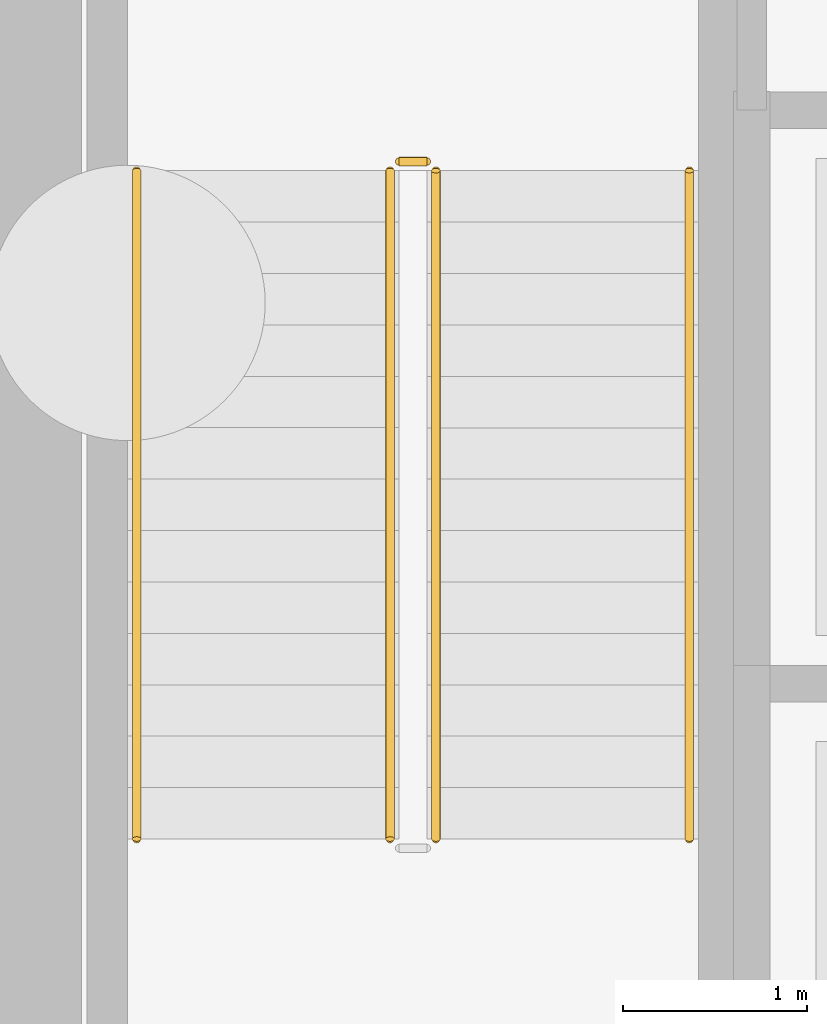
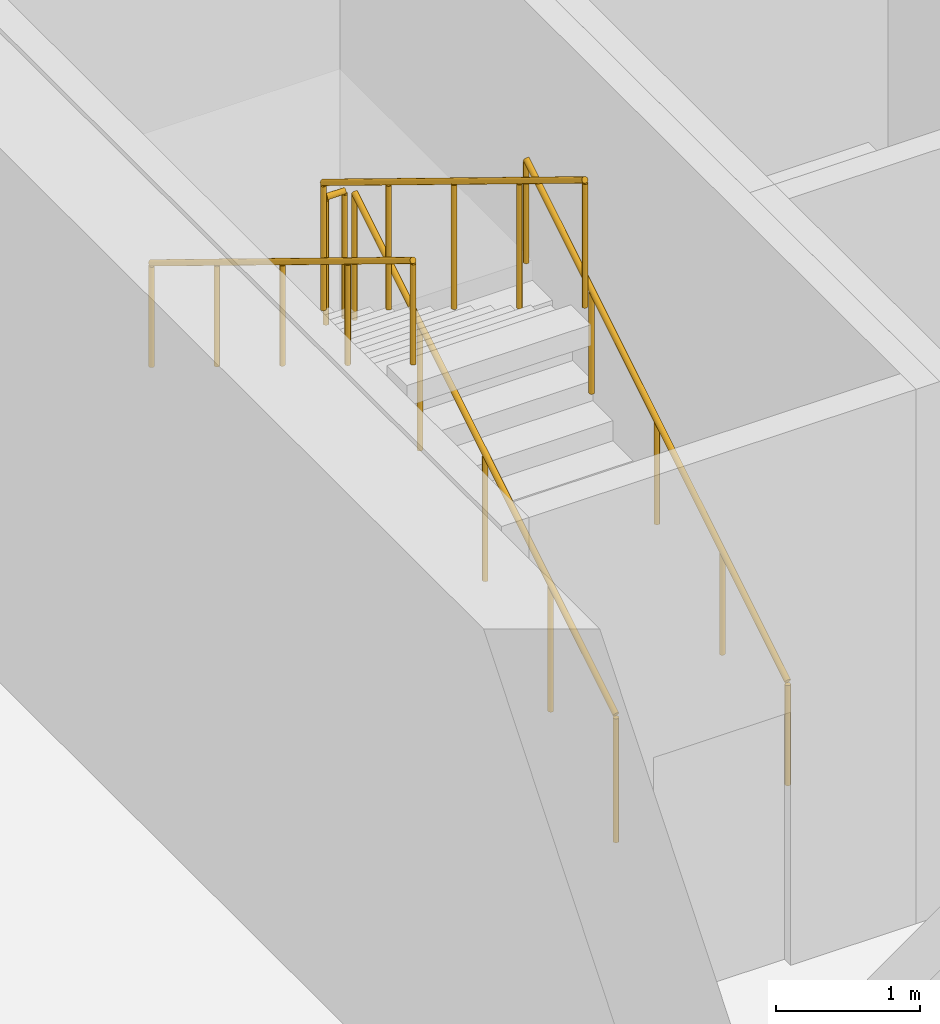
# One storey, part 8 of 10: 5 railings.
"""IFC4 building model written with IfcOpenShell, lengths in metres."""

from ifc_helpers import new_model, si_unit, direction, frame, origin, origin_2d, place, context, subcontext, project, spatial, circle, extrude, material, type_object, element, save


model = new_model("IFC4")

# Units and contexts
model_context = context("Model", 3, precision=1e-05, world=origin(), true_north=direction((0.0, 1.0)))
body_context = subcontext(model_context, "Body", "Model", "MODEL_VIEW")
ifc_project = project(units=[si_unit("LENGTHUNIT", "METRE"), si_unit("AREAUNIT", "SQUARE_METRE"), si_unit("VOLUMEUNIT", "CUBIC_METRE"), si_unit("PLANEANGLEUNIT", "RADIAN"), si_unit("MASSUNIT", "GRAM", prefix="KILO")], contexts=[model_context])

# Site, building, storey
site_placement = place(None, origin())
site = spatial("IfcSite", under=ifc_project, at=site_placement, CompositionType="ELEMENT")
building_placement = place(site_placement, origin())
building = spatial("IfcBuilding", under=site, at=building_placement, Name="Valdorenza Pilgrim Sanctuary Tower", CompositionType="ELEMENT")
storey_placement = place(building_placement, frame((0.0, 0.0, -9.60009765625)))
storey = spatial("IfcBuildingStorey", under=building, at=storey_placement, Name="B02", CompositionType="ELEMENT", Elevation=-9.60009765625)

# Railings
ifc_material_1 = material(Name="Stainless steel Grade 316", Category="steel")
railing_type_1 = type_object("IfcRailingType", Name="RLG-GRD-1120", PredefinedType="GUARDRAIL", material=ifc_material_1)
railing_1_placement = place(storey_placement, frame((-20.3701171875, 3.47998046875, 0.171630859375)))
element("IfcRailing", 1, at=railing_1_placement, inside=storey, type_object=railing_type_1, Name="B02 ST-A1 stair guard 1", PredefinedType="GUARDRAIL", context=body_context, shape_type="SweptSolid", body=[
    extrude(circle(Radius=0.02392578125, at=origin_2d()), frame((0.0, 0.0, 1.076171875), z_axis=(0.0, 0.852865859571, 0.52213008492), x_axis=(-1.0, 0.0, 0.0)), (0.0, 0.0, 1.0), 4.26806640625),
    extrude(circle(Radius=0.02099609375, at=origin_2d()), origin(), (0.0, 0.0, 1.0), 1.052001953125),
    extrude(circle(Radius=0.02099609375, at=origin_2d()), frame((0.0, 0.91015625, 0.55712890625)), (0.0, 0.0, 1.0), 1.052001953125),
    extrude(circle(Radius=0.02099609375, at=origin_2d()), frame((0.0, 1.820068359375, 1.1142578125)), (0.0, 0.0, 1.0), 1.052001953125),
    extrude(circle(Radius=0.02099609375, at=origin_2d()), frame((0.0, 2.72998046875, 1.67138671875)), (0.0, 0.0, 1.0), 1.052001953125),
    extrude(circle(Radius=0.02099609375, at=origin_2d()), frame((0.0, 3.64013671875, 2.228515625)), (0.0, 0.0, 1.0), 1.052001953125),
])
railing_2_placement = place(storey_placement, frame((-20.419921875, 7.169921875, 2.400146484375)))
element("IfcRailing", 2, at=railing_2_placement, inside=storey, type_object=railing_type_1, Name="B02 ST-A1 stair guard 2", PredefinedType="GUARDRAIL", context=body_context, shape_type="SweptSolid", body=[
    extrude(circle(Radius=0.02392578125, at=origin_2d()), frame((0.0, 0.0, 1.076171875), z_axis=(-1.0, 0.0, 0.0), x_axis=(0.0, -1.0, 0.0)), (0.0, 0.0, 1.0), 0.150146484375),
    extrude(circle(Radius=0.02099609375, at=origin_2d()), origin(), (0.0, 0.0, 1.0), 1.052001953125),
    extrude(circle(Radius=0.02099609375, at=origin_2d()), frame((-0.150146484375, 0.0, 0.0)), (0.0, 0.0, 1.0), 1.052001953125),
])
railing_3_placement = place(storey_placement, frame((-20.6201171875, 7.1201171875, 2.571533203125)))
element("IfcRailing", 3, at=railing_3_placement, inside=storey, type_object=railing_type_1, Name="B02 ST-A1 stair guard 3", PredefinedType="GUARDRAIL", context=body_context, shape_type="SweptSolid", body=[
    extrude(circle(Radius=0.02392578125, at=origin_2d()), frame((0.0, 0.0, 1.076171875), z_axis=(0.0, -0.852865859571, 0.52213008492), x_axis=(1.0, 0.0, 0.0)), (0.0, 0.0, 1.0), 4.26806640625),
    extrude(circle(Radius=0.02099609375, at=origin_2d()), origin(), (0.0, 0.0, 1.0), 1.052001953125),
    extrude(circle(Radius=0.02099609375, at=origin_2d()), frame((0.0, -0.91015625, 0.55712890625)), (0.0, 0.0, 1.0), 1.052001953125),
    extrude(circle(Radius=0.02099609375, at=origin_2d()), frame((0.0, -1.820068359375, 1.1142578125)), (0.0, 0.0, 1.0), 1.052001953125),
    extrude(circle(Radius=0.02099609375, at=origin_2d()), frame((0.0, -2.72998046875, 1.67138671875)), (0.0, 0.0, 1.0), 1.052001953125),
    extrude(circle(Radius=0.02099609375, at=origin_2d()), frame((0.0, -3.64013671875, 2.228515625)), (0.0, 0.0, 1.0), 1.052001953125),
])
ifc_material_2 = material(Name="Brushed stainless steel Grade 316", Category="steel")
railing_type_2 = type_object("IfcRailingType", Name="RLG-HND-920", PredefinedType="HANDRAIL", material=ifc_material_2)
railing_4_placement = place(storey_placement, frame((-18.989990234375, 3.47998046875, 0.171630859375)))
element("IfcRailing", 4, at=railing_4_placement, inside=storey, type_object=railing_type_2, Name="B02 ST-A1 stair handrail 1", PredefinedType="HANDRAIL", context=body_context, shape_type="SweptSolid", body=[
    extrude(circle(Radius=0.02392578125, at=origin_2d()), frame((0.0, 0.0, 0.8759765625), z_axis=(0.0, 0.852865859571, 0.52213008492), x_axis=(-1.0, 0.0, 0.0)), (0.0, 0.0, 1.0), 4.26806640625),
    extrude(circle(Radius=0.02099609375, at=origin_2d()), origin(), (0.0, 0.0, 1.0), 0.851806640625),
    extrude(circle(Radius=0.02099609375, at=origin_2d()), frame((0.0, 0.91015625, 0.55712890625)), (0.0, 0.0, 1.0), 0.851806640625),
    extrude(circle(Radius=0.02099609375, at=origin_2d()), frame((0.0, 1.820068359375, 1.1142578125)), (0.0, 0.0, 1.0), 0.851806640625),
    extrude(circle(Radius=0.02099609375, at=origin_2d()), frame((0.0, 2.72998046875, 1.67138671875)), (0.0, 0.0, 1.0), 0.851806640625),
    extrude(circle(Radius=0.02099609375, at=origin_2d()), frame((0.0, 3.64013671875, 2.228515625)), (0.0, 0.0, 1.0), 0.851806640625),
])
railing_5_placement = place(storey_placement, frame((-22.0, 7.1201171875, 2.571533203125)))
element("IfcRailing", 5, at=railing_5_placement, inside=storey, type_object=railing_type_2, Name="B02 ST-A1 stair handrail 2", PredefinedType="HANDRAIL", context=body_context, shape_type="SweptSolid", body=[
    extrude(circle(Radius=0.02392578125, at=origin_2d()), frame((0.0, 0.0, 0.8759765625), z_axis=(0.0, -0.852865859571, 0.52213008492), x_axis=(1.0, 0.0, 0.0)), (0.0, 0.0, 1.0), 4.26806640625),
    extrude(circle(Radius=0.02099609375, at=origin_2d()), origin(), (0.0, 0.0, 1.0), 0.851806640625),
    extrude(circle(Radius=0.02099609375, at=origin_2d()), frame((0.0, -0.91015625, 0.55712890625)), (0.0, 0.0, 1.0), 0.851806640625),
    extrude(circle(Radius=0.02099609375, at=origin_2d()), frame((0.0, -1.820068359375, 1.1142578125)), (0.0, 0.0, 1.0), 0.851806640625),
    extrude(circle(Radius=0.02099609375, at=origin_2d()), frame((0.0, -2.72998046875, 1.67138671875)), (0.0, 0.0, 1.0), 0.851806640625),
    extrude(circle(Radius=0.02099609375, at=origin_2d()), frame((0.0, -3.64013671875, 2.228515625)), (0.0, 0.0, 1.0), 0.851806640625),
])

save(model, "model.ifc")
